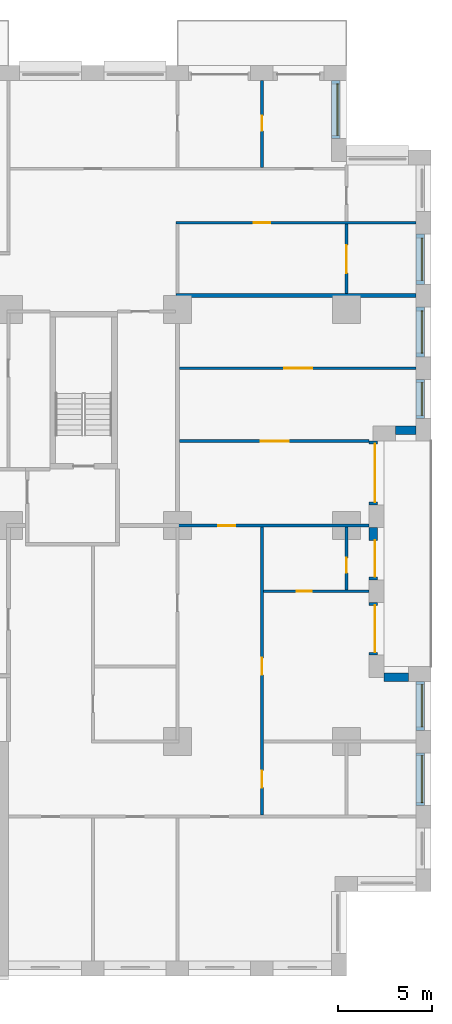
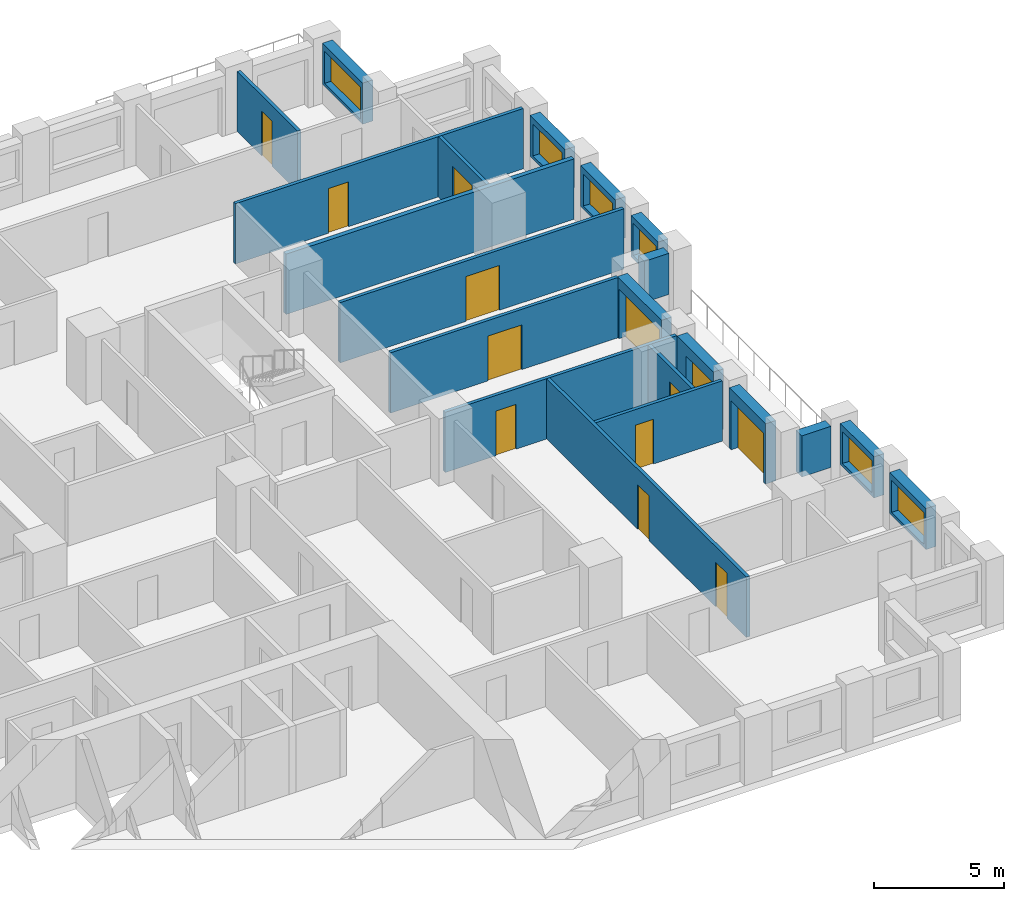
# One storey, part 17 of 20: 21 walls, 13 doors, 6 windows, 19 openings.
"""IFC4 building model written with IfcOpenShell, lengths in metres."""

from ifc_helpers import new_model, si_unit, direction, frame, frame_2d, origin, place, context, subcontext, project, spatial, rectangle, extrude, material, layer, layer_set, type_object, element, fill, save


model = new_model("IFC4")

# Units and contexts
model_context = context("Model", 3, precision=1e-05, world=origin(), true_north=direction((0.0, 1.0)))
body_context = subcontext(model_context, "Body", "Model", "MODEL_VIEW")
ifc_project = project(units=[si_unit("LENGTHUNIT", "METRE"), si_unit("AREAUNIT", "SQUARE_METRE"), si_unit("VOLUMEUNIT", "CUBIC_METRE"), si_unit("PLANEANGLEUNIT", "RADIAN"), si_unit("MASSUNIT", "GRAM", prefix="KILO")], contexts=[model_context])

# Site, building, storey
site_placement = place(None, origin())
site = spatial("IfcSite", under=ifc_project, at=site_placement, CompositionType="ELEMENT")
building_placement = place(site_placement, origin())
building = spatial("IfcBuilding", under=site, at=building_placement, Name="Brigalow Station Residences", CompositionType="ELEMENT")
storey_placement = place(building_placement, frame((0.0, 0.0, 41.550048828125)))
storey = spatial("IfcBuildingStorey", under=building, at=storey_placement, Name="L11", CompositionType="ELEMENT", Elevation=41.550048828125)

# Wall, opening, window
ifc_material_1 = material(Name="Clay brick masonry", Category="masonry")
ifc_layer_1 = layer(ifc_material_1, 0.449951171875)
ifc_layer_set_1 = layer_set([ifc_layer_1], Name="BRICK INFILL WALL 450")
wall_type_1 = type_object("IfcWallType", Name="BRICK INFILL WALL 450", PredefinedType="SOLIDWALL", material=ifc_layer_set_1)
wall_1_placement = place(storey_placement, frame((75.925048828125, 9.10009765625, 0.89990234375), z_axis=(0.0, 0.0, 1.0), x_axis=(0.0, 1.0, 0.0)))
wall_1 = element("IfcWall", 1, at=wall_1_placement, inside=storey, type_object=wall_type_1, Name="L11/ewall/W-L11-12", PredefinedType="SOLIDWALL", context=body_context, shape_type="SweptSolid", body=[
    extrude(rectangle(XDim=2.7998046875, YDim=0.449951171875, at=frame_2d((1.39990234375, 0.0))), origin(), (0.0, 0.0, 1.0), 1.929931640625),
])
opening_1_placement = place(wall_1_placement, frame((0.14990234375, 0.0, 0.14990234375)))
opening_1 = element("IfcOpeningElement", 2, at=opening_1_placement, cuts=wall_1, Name="Opening WT-5", PredefinedType="OPENING", context=body_context, shape_type="SweptSolid", body=[
    extrude(rectangle(XDim=2.5, YDim=1.5, at=frame_2d((1.25, 0.75))), frame((0.0, 0.23486328125, 0.0), z_axis=(0.0, -1.0, 0.0), x_axis=(1.0, 0.0, 0.0)), (0.0, 0.0, 1.0), 0.469970703125),
])
ifc_material_2 = material(Name="Anodised aluminium frame with double glazing", Category="aluminium")
window_type_1 = type_object("IfcWindowType", Name="WINDOW 2500x1500", PartitioningType="SINGLE_PANEL", PredefinedType="WINDOW", material=ifc_material_2)
window_1_placement = place(opening_1_placement, origin())
window_1 = element("IfcWindow", 3, at=window_1_placement, inside=storey, type_object=window_type_1, Name="L11/window/W-L11-12", OverallHeight=1.5, OverallWidth=2.5, PartitioningType="SINGLE_PANEL", PredefinedType="WINDOW", context=body_context, shape_type="SweptSolid", body=[
    extrude(rectangle(XDim=2.5, YDim=1.5, at=frame_2d((1.25, 0.75))), frame((0.0, -0.06494140625, 0.0), z_axis=(0.0, -1.0, 0.0), x_axis=(1.0, 0.0, 0.0)), (0.0, 0.0, 1.0), 0.06005859375),
])
fill(opening_1, window_1)

wall_2_placement = place(storey_placement, frame((75.925048828125, 13.10009765625, 0.89990234375), z_axis=(0.0, 0.0, 1.0), x_axis=(0.0, 1.0, 0.0)))
wall_2 = element("IfcWall", 4, at=wall_2_placement, inside=storey, type_object=wall_type_1, Name="L11/ewall/W-L11-13", PredefinedType="SOLIDWALL", context=body_context, shape_type="SweptSolid", body=[
    extrude(rectangle(XDim=2.599853515625, YDim=0.449951171875, at=frame_2d((1.2998046875, 0.0))), origin(), (0.0, 0.0, 1.0), 1.929931640625),
])
opening_2_placement = place(wall_2_placement, frame((0.175048828125, 0.0, 0.14990234375)))
opening_2 = element("IfcOpeningElement", 5, at=opening_2_placement, cuts=wall_2, Name="Opening WT-6", PredefinedType="OPENING", context=body_context, shape_type="SweptSolid", body=[
    extrude(rectangle(XDim=2.25, YDim=1.5, at=frame_2d((1.125, 0.75))), frame((0.0, 0.23486328125, 0.0), z_axis=(0.0, -1.0, 0.0), x_axis=(1.0, 0.0, 0.0)), (0.0, 0.0, 1.0), 0.469970703125),
])
ifc_material_3 = material(Name="Anodised aluminium frame with double glazing", Category="aluminium")
window_type_2 = type_object("IfcWindowType", Name="WINDOW 2250x1500", PartitioningType="SINGLE_PANEL", PredefinedType="WINDOW", material=ifc_material_3)
window_2_placement = place(opening_2_placement, origin())
window_2 = element("IfcWindow", 6, at=window_2_placement, inside=storey, type_object=window_type_2, Name="L11/window/W-L11-13", OverallHeight=1.5, OverallWidth=2.25, PartitioningType="SINGLE_PANEL", PredefinedType="WINDOW", context=body_context, shape_type="SweptSolid", body=[
    extrude(rectangle(XDim=2.25, YDim=1.5, at=frame_2d((1.125, 0.75))), frame((0.0, -0.06494140625, 0.0), z_axis=(0.0, -1.0, 0.0), x_axis=(1.0, 0.0, 0.0)), (0.0, 0.0, 1.0), 0.06005859375),
])
fill(opening_2, window_2)

# Wall
wall_3_placement = place(storey_placement, frame((75.300048828125, 15.925048828125, 0.89990234375), z_axis=(0.0, 0.0, 1.0), x_axis=(-1.0, 0.0, 0.0)))
element("IfcWall", 7, at=wall_3_placement, inside=storey, type_object=wall_type_1, Name="L11/ewall/W-L11-14", PredefinedType="SOLIDWALL", context=body_context, shape_type="SweptSolid", body=[
    extrude(rectangle(XDim=1.300048828125, YDim=0.449951171875, at=frame_2d((0.64990234375, 0.0))), origin(), (0.0, 0.0, 1.0), 1.929931640625),
])

# Wall, opening, door
wall_4_placement = place(storey_placement, frame((73.425048828125, 17.10009765625, 0.0), z_axis=(0.0, 0.0, 1.0), x_axis=(0.0, 1.0, 0.0)))
wall_4 = element("IfcWall", 8, at=wall_4_placement, inside=storey, type_object=wall_type_1, Name="L11/ewall/W-L11-15", PredefinedType="SOLIDWALL", context=body_context, shape_type="SweptSolid", body=[
    extrude(rectangle(XDim=2.7998046875, YDim=0.449951171875, at=frame_2d((1.39990234375, 0.0))), origin(), (0.0, 0.0, 1.0), 2.829833984375),
])
opening_3_placement = place(wall_4_placement, frame((0.14990234375, 0.0, 0.0)))
opening_3 = element("IfcOpeningElement", 9, at=opening_3_placement, cuts=wall_4, Name="Opening D-B2500", PredefinedType="OPENING", context=body_context, shape_type="SweptSolid", body=[
    extrude(rectangle(XDim=2.5, YDim=2.300048828125, at=frame_2d((1.25, 1.14990234375))), frame((0.0, 0.23486328125, 0.0), z_axis=(0.0, -1.0, 0.0), x_axis=(1.0, 0.0, 0.0)), (0.0, 0.0, 1.0), 0.469970703125),
])
ifc_material_4 = material(Name="Anodised aluminium frame with double glazing", Category="aluminium")
door_type_1 = type_object("IfcDoorType", Name="BALCONY SLIDING DOOR 2500x2300", OperationType="SLIDING_TO_LEFT", PredefinedType="DOOR", material=ifc_material_4)
door_1_placement = place(opening_3_placement, origin())
door_1 = element("IfcDoor", 10, at=door_1_placement, inside=storey, type_object=door_type_1, Name="L11/balcony-door/W-L11-15", OperationType="SLIDING_TO_LEFT", OverallHeight=2.300048828125, OverallWidth=2.5, PredefinedType="DOOR", context=body_context, shape_type="SweptSolid", body=[
    extrude(rectangle(XDim=2.5, YDim=2.300048828125, at=frame_2d((1.25, 1.14990234375))), frame((0.0, -0.06982421875, 0.0), z_axis=(0.0, -1.0, 0.0), x_axis=(1.0, 0.0, 0.0)), (0.0, 0.0, 1.0), 0.050048828125),
])
fill(opening_3, door_1)

wall_5_placement = place(storey_placement, frame((73.425048828125, 21.10009765625, 0.0), z_axis=(0.0, 0.0, 1.0), x_axis=(0.0, 1.0, 0.0)))
wall_5 = element("IfcWall", 11, at=wall_5_placement, inside=storey, type_object=wall_type_1, Name="L11/ewall/W-L11-16", PredefinedType="SOLIDWALL", context=body_context, shape_type="SweptSolid", body=[
    extrude(rectangle(XDim=2.7998046875, YDim=0.449951171875, at=frame_2d((1.39990234375, 0.0))), origin(), (0.0, 0.0, 1.0), 2.829833984375),
])
opening_4_placement = place(wall_5_placement, frame((0.1650390625, 0.0, 0.0)))
opening_4 = element("IfcOpeningElement", 12, at=opening_4_placement, cuts=wall_5, Name="Opening D-B1950", PredefinedType="OPENING", context=body_context, shape_type="SweptSolid", body=[
    extrude(rectangle(XDim=1.949951171875, YDim=2.300048828125, at=frame_2d((0.97509765625, 1.14990234375))), frame((0.0, 0.23486328125, 0.0), z_axis=(0.0, -1.0, 0.0), x_axis=(1.0, 0.0, 0.0)), (0.0, 0.0, 1.0), 0.469970703125),
])
ifc_material_5 = material(Name="Anodised aluminium frame with double glazing", Category="aluminium")
door_type_2 = type_object("IfcDoorType", Name="BALCONY SLIDING DOOR 1950x2300", OperationType="SLIDING_TO_LEFT", PredefinedType="DOOR", material=ifc_material_5)
door_2_placement = place(opening_4_placement, origin())
door_2 = element("IfcDoor", 13, at=door_2_placement, inside=storey, type_object=door_type_2, Name="L11/balcony-door/W-L11-16", OperationType="SLIDING_TO_LEFT", OverallHeight=2.300048828125, OverallWidth=1.949951171875, PredefinedType="DOOR", context=body_context, shape_type="SweptSolid", body=[
    extrude(rectangle(XDim=1.949951171875, YDim=2.300048828125, at=frame_2d((0.97509765625, 1.14990234375))), frame((0.0, -0.06982421875, 0.0), z_axis=(0.0, -1.0, 0.0), x_axis=(1.0, 0.0, 0.0)), (0.0, 0.0, 1.0), 0.050048828125),
])
fill(opening_4, door_2)

wall_6_placement = place(storey_placement, frame((73.425048828125, 25.10009765625, 0.0), z_axis=(0.0, 0.0, 1.0), x_axis=(0.0, 1.0, 0.0)))
wall_6 = element("IfcWall", 14, at=wall_6_placement, inside=storey, type_object=wall_type_1, Name="L11/ewall/W-L11-17", PredefinedType="SOLIDWALL", context=body_context, shape_type="SweptSolid", body=[
    extrude(rectangle(XDim=3.39990234375, YDim=0.449951171875, at=frame_2d((1.699951171875, 0.0))), origin(), (0.0, 0.0, 1.0), 2.829833984375),
])
opening_5_placement = place(wall_6_placement, frame((0.14990234375, 0.0, 0.0)))
opening_5 = element("IfcOpeningElement", 15, at=opening_5_placement, cuts=wall_6, Name="Opening D-B3100", PredefinedType="OPENING", context=body_context, shape_type="SweptSolid", body=[
    extrude(rectangle(XDim=3.10009765625, YDim=2.300048828125, at=frame_2d((1.550048828125, 1.14990234375))), frame((0.0, 0.23486328125, 0.0), z_axis=(0.0, -1.0, 0.0), x_axis=(1.0, 0.0, 0.0)), (0.0, 0.0, 1.0), 0.469970703125),
])
ifc_material_6 = material(Name="Anodised aluminium frame with double glazing", Category="aluminium")
door_type_3 = type_object("IfcDoorType", Name="BALCONY SLIDING DOOR 3100x2300", OperationType="SLIDING_TO_LEFT", PredefinedType="DOOR", material=ifc_material_6)
door_3_placement = place(opening_5_placement, origin())
door_3 = element("IfcDoor", 16, at=door_3_placement, inside=storey, type_object=door_type_3, Name="L11/balcony-door/W-L11-17", OperationType="SLIDING_TO_LEFT", OverallHeight=2.300048828125, OverallWidth=3.10009765625, PredefinedType="DOOR", context=body_context, shape_type="SweptSolid", body=[
    extrude(rectangle(XDim=3.10009765625, YDim=2.300048828125, at=frame_2d((1.550048828125, 1.14990234375))), frame((0.0, -0.06982421875, 0.0), z_axis=(0.0, -1.0, 0.0), x_axis=(1.0, 0.0, 0.0)), (0.0, 0.0, 1.0), 0.050048828125),
])
fill(opening_5, door_3)

# Wall
wall_7_placement = place(storey_placement, frame((74.60009765625, 29.074951171875, 0.89990234375), z_axis=(0.0, 0.0, 1.0), x_axis=(1.0, 0.0, 0.0)))
element("IfcWall", 17, at=wall_7_placement, inside=storey, type_object=wall_type_1, Name="L11/ewall/W-L11-18", PredefinedType="SOLIDWALL", context=body_context, shape_type="SweptSolid", body=[
    extrude(rectangle(XDim=1.099853515625, YDim=0.449951171875, at=frame_2d((0.5498046875, 0.0))), origin(), (0.0, 0.0, 1.0), 1.929931640625),
])

# Wall, opening, window
wall_8_placement = place(storey_placement, frame((75.925048828125, 29.699951171875, 0.89990234375), z_axis=(0.0, 0.0, 1.0), x_axis=(0.0, 1.0, 0.0)))
wall_8 = element("IfcWall", 18, at=wall_8_placement, inside=storey, type_object=wall_type_1, Name="L11/ewall/W-L11-19", PredefinedType="SOLIDWALL", context=body_context, shape_type="SweptSolid", body=[
    extrude(rectangle(XDim=2.074951171875, YDim=0.449951171875, at=frame_2d((1.03759765625, 0.0))), origin(), (0.0, 0.0, 1.0), 1.929931640625),
])
opening_6_placement = place(wall_8_placement, frame((0.16259765625, 0.0, 0.14990234375)))
opening_6 = element("IfcOpeningElement", 19, at=opening_6_placement, cuts=wall_8, Name="Opening WT-4", PredefinedType="OPENING", context=body_context, shape_type="SweptSolid", body=[
    extrude(rectangle(XDim=1.75, YDim=1.5, at=frame_2d((0.875, 0.75))), frame((0.0, 0.23486328125, 0.0), z_axis=(0.0, -1.0, 0.0), x_axis=(1.0, 0.0, 0.0)), (0.0, 0.0, 1.0), 0.469970703125),
])
ifc_material_7 = material(Name="Anodised aluminium frame with double glazing", Category="aluminium")
window_type_3 = type_object("IfcWindowType", Name="WINDOW 1750x1500", PartitioningType="SINGLE_PANEL", PredefinedType="WINDOW", material=ifc_material_7)
window_3_placement = place(opening_6_placement, origin())
window_3 = element("IfcWindow", 20, at=window_3_placement, inside=storey, type_object=window_type_3, Name="L11/window/W-L11-19", OverallHeight=1.5, OverallWidth=1.75, PartitioningType="SINGLE_PANEL", PredefinedType="WINDOW", context=body_context, shape_type="SweptSolid", body=[
    extrude(rectangle(XDim=1.75, YDim=1.5, at=frame_2d((0.875, 0.75))), frame((0.0, -0.06494140625, 0.0), z_axis=(0.0, -1.0, 0.0), x_axis=(1.0, 0.0, 0.0)), (0.0, 0.0, 1.0), 0.06005859375),
])
fill(opening_6, window_3)

wall_9_placement = place(storey_placement, frame((75.925048828125, 32.97509765625, 0.89990234375), z_axis=(0.0, 0.0, 1.0), x_axis=(0.0, 1.0, 0.0)))
wall_9 = element("IfcWall", 21, at=wall_9_placement, inside=storey, type_object=wall_type_1, Name="L11/ewall/W-L11-20", PredefinedType="SOLIDWALL", context=body_context, shape_type="SweptSolid", body=[
    extrude(rectangle(XDim=2.6748046875, YDim=0.449951171875, at=frame_2d((1.33740234375, 0.0))), origin(), (0.0, 0.0, 1.0), 1.929931640625),
])
opening_7_placement = place(wall_9_placement, frame((0.21240234375, 0.0, 0.14990234375)))
opening_7 = element("IfcOpeningElement", 22, at=opening_7_placement, cuts=wall_9, Name="Opening WT-6", PredefinedType="OPENING", context=body_context, shape_type="SweptSolid", body=[
    extrude(rectangle(XDim=2.25, YDim=1.5, at=frame_2d((1.125, 0.75))), frame((0.0, 0.23486328125, 0.0), z_axis=(0.0, -1.0, 0.0), x_axis=(1.0, 0.0, 0.0)), (0.0, 0.0, 1.0), 0.469970703125),
])
window_4_placement = place(opening_7_placement, origin())
window_4 = element("IfcWindow", 23, at=window_4_placement, inside=storey, type_object=window_type_2, Name="L11/window/W-L11-20", OverallHeight=1.5, OverallWidth=2.25, PartitioningType="SINGLE_PANEL", PredefinedType="WINDOW", context=body_context, shape_type="SweptSolid", body=[
    extrude(rectangle(XDim=2.25, YDim=1.5, at=frame_2d((1.125, 0.75))), frame((0.0, -0.06494140625, 0.0), z_axis=(0.0, -1.0, 0.0), x_axis=(1.0, 0.0, 0.0)), (0.0, 0.0, 1.0), 0.06005859375),
])
fill(opening_7, window_4)

wall_10_placement = place(storey_placement, frame((75.925048828125, 36.85009765625, 0.89990234375), z_axis=(0.0, 0.0, 1.0), x_axis=(0.0, 1.0, 0.0)))
wall_10 = element("IfcWall", 24, at=wall_10_placement, inside=storey, type_object=wall_type_1, Name="L11/ewall/W-L11-21", PredefinedType="SOLIDWALL", context=body_context, shape_type="SweptSolid", body=[
    extrude(rectangle(XDim=2.6748046875, YDim=0.449951171875, at=frame_2d((1.33740234375, 0.0))), origin(), (0.0, 0.0, 1.0), 1.929931640625),
])
opening_8_placement = place(wall_10_placement, frame((0.21240234375, 0.0, 0.14990234375)))
opening_8 = element("IfcOpeningElement", 25, at=opening_8_placement, cuts=wall_10, Name="Opening WT-6", PredefinedType="OPENING", context=body_context, shape_type="SweptSolid", body=[
    extrude(rectangle(XDim=2.25, YDim=1.5, at=frame_2d((1.125, 0.75))), frame((0.0, 0.23486328125, 0.0), z_axis=(0.0, -1.0, 0.0), x_axis=(1.0, 0.0, 0.0)), (0.0, 0.0, 1.0), 0.469970703125),
])
window_5_placement = place(opening_8_placement, origin())
window_5 = element("IfcWindow", 26, at=window_5_placement, inside=storey, type_object=window_type_2, Name="L11/window/W-L11-21", OverallHeight=1.5, OverallWidth=2.25, PartitioningType="SINGLE_PANEL", PredefinedType="WINDOW", context=body_context, shape_type="SweptSolid", body=[
    extrude(rectangle(XDim=2.25, YDim=1.5, at=frame_2d((1.125, 0.75))), frame((0.0, -0.06494140625, 0.0), z_axis=(0.0, -1.0, 0.0), x_axis=(1.0, 0.0, 0.0)), (0.0, 0.0, 1.0), 0.06005859375),
])
fill(opening_8, window_5)

wall_11_placement = place(storey_placement, frame((71.425048828125, 44.60009765625, 0.89990234375), z_axis=(0.0, 0.0, 1.0), x_axis=(0.0, 1.0, 0.0)))
wall_11 = element("IfcWall", 27, at=wall_11_placement, inside=storey, type_object=wall_type_1, Name="L11/ewall/W-L11-24", PredefinedType="SOLIDWALL", context=body_context, shape_type="SweptSolid", body=[
    extrude(rectangle(XDim=3.099853515625, YDim=0.449951171875, at=frame_2d((1.5498046875, 0.0))), origin(), (0.0, 0.0, 1.0), 1.929931640625),
])
opening_9_placement = place(wall_11_placement, frame((0.175048828125, 0.0, 0.14990234375)))
opening_9 = element("IfcOpeningElement", 28, at=opening_9_placement, cuts=wall_11, Name="Opening WT-3", PredefinedType="OPENING", context=body_context, shape_type="SweptSolid", body=[
    extrude(rectangle(XDim=2.75, YDim=1.5, at=frame_2d((1.375, 0.75))), frame((0.0, 0.23486328125, 0.0), z_axis=(0.0, -1.0, 0.0), x_axis=(1.0, 0.0, 0.0)), (0.0, 0.0, 1.0), 0.469970703125),
])
ifc_material_8 = material(Name="Anodised aluminium frame with double glazing", Category="aluminium")
window_type_4 = type_object("IfcWindowType", Name="WINDOW 2750x1500", PartitioningType="SINGLE_PANEL", PredefinedType="WINDOW", material=ifc_material_8)
window_6_placement = place(opening_9_placement, origin())
window_6 = element("IfcWindow", 29, at=window_6_placement, inside=storey, type_object=window_type_4, Name="L11/window/W-L11-24", OverallHeight=1.5, OverallWidth=2.75, PartitioningType="SINGLE_PANEL", PredefinedType="WINDOW", context=body_context, shape_type="SweptSolid", body=[
    extrude(rectangle(XDim=2.75, YDim=1.5, at=frame_2d((1.375, 0.75))), frame((0.0, -0.06494140625, 0.0), z_axis=(0.0, -1.0, 0.0), x_axis=(1.0, 0.0, 0.0)), (0.0, 0.0, 1.0), 0.06005859375),
])
fill(opening_9, window_6)

# Wall, opening, door
ifc_material_9 = material(Name="Plasterboard on steel stud partition", Category="steel")
ifc_layer_2 = layer(ifc_material_9, 0.14990234375)
ifc_layer_set_2 = layer_set([ifc_layer_2], Name="FLAT PARTITION 150")
wall_type_2 = type_object("IfcWallType", Name="FLAT PARTITION 150", PredefinedType="PARTITIONING", material=ifc_layer_set_2)
wall_12_placement = place(storey_placement, frame((62.925048828125, 24.0, 0.0), z_axis=(0.0, 0.0, 1.0), x_axis=(1.0, 0.0, 0.0)))
wall_12 = element("IfcWall", 30, at=wall_12_placement, inside=storey, type_object=wall_type_2, Name="PW-1C03", PredefinedType="PARTITIONING", context=body_context, shape_type="SweptSolid", body=[
    extrude(rectangle(XDim=10.27490234375, YDim=0.14990234375, at=frame_2d((5.137451171875, 0.0))), origin(), (0.0, 0.0, 1.0), 2.829833984375),
])
opening_10_placement = place(wall_12_placement, frame((2.25, 0.0, 0.0)))
opening_10 = element("IfcOpeningElement", 31, at=opening_10_placement, cuts=wall_12, Name="Opening D-1C53", PredefinedType="OPENING", context=body_context, shape_type="SweptSolid", body=[
    extrude(rectangle(XDim=0.89990234375, YDim=2.10009765625, at=frame_2d((0.449951171875, 1.050048828125))), frame((0.0, 0.0849609375, 0.0), z_axis=(0.0, -1.0, 0.0), x_axis=(1.0, 0.0, 0.0)), (0.0, 0.0, 1.0), 0.169921875),
])
ifc_material_10 = material(Name="Solid-core timber door leaf", Category="wood")
door_type_4 = type_object("IfcDoorType", Name="INTERNAL DOOR 900 x 2100", OperationType="SINGLE_SWING_LEFT", PredefinedType="DOOR", material=ifc_material_10)
door_4_placement = place(opening_10_placement, origin())
door_4 = element("IfcDoor", 32, at=door_4_placement, inside=storey, type_object=door_type_4, Name="D-1C53", OperationType="SINGLE_SWING_LEFT", OverallHeight=2.10009765625, OverallWidth=0.89990234375, PredefinedType="DOOR", context=body_context, shape_type="SweptSolid", body=[
    extrude(rectangle(XDim=0.89990234375, YDim=2.10009765625, at=frame_2d((0.449951171875, 1.050048828125))), frame((0.0, 0.02490234375, 0.0), z_axis=(0.0, -1.0, 0.0), x_axis=(1.0, 0.0, 0.0)), (0.0, 0.0, 1.0), 0.050048828125),
])
fill(opening_10, door_4)

wall_13_placement = place(storey_placement, frame((67.574951171875, 20.5, 0.0), z_axis=(0.0, 0.0, 1.0), x_axis=(1.0, 0.0, 0.0)))
wall_13 = element("IfcWall", 33, at=wall_13_placement, inside=storey, type_object=wall_type_2, Name="PW-1C18", PredefinedType="PARTITIONING", context=body_context, shape_type="SweptSolid", body=[
    extrude(rectangle(XDim=5.625, YDim=0.14990234375, at=frame_2d((2.8125, 0.0))), origin(), (0.0, 0.0, 1.0), 2.829833984375),
])
opening_11_placement = place(wall_13_placement, frame((1.77490234375, 0.0, 0.0)))
opening_11 = element("IfcOpeningElement", 34, at=opening_11_placement, cuts=wall_13, Name="Opening D-1C54", PredefinedType="OPENING", context=body_context, shape_type="SweptSolid", body=[
    extrude(rectangle(XDim=0.800048828125, YDim=2.10009765625, at=frame_2d((0.39990234375, 1.050048828125))), frame((0.0, 0.0849609375, 0.0), z_axis=(0.0, -1.0, 0.0), x_axis=(1.0, 0.0, 0.0)), (0.0, 0.0, 1.0), 0.169921875),
])
ifc_material_11 = material(Name="Solid-core timber door leaf", Category="wood")
door_type_5 = type_object("IfcDoorType", Name="INTERNAL DOOR 800 x 2100", OperationType="SINGLE_SWING_LEFT", PredefinedType="DOOR", material=ifc_material_11)
door_5_placement = place(opening_11_placement, origin())
door_5 = element("IfcDoor", 35, at=door_5_placement, inside=storey, type_object=door_type_5, Name="D-1C54", OperationType="SINGLE_SWING_LEFT", OverallHeight=2.10009765625, OverallWidth=0.800048828125, PredefinedType="DOOR", context=body_context, shape_type="SweptSolid", body=[
    extrude(rectangle(XDim=0.800048828125, YDim=2.10009765625, at=frame_2d((0.39990234375, 1.050048828125))), frame((0.0, 0.02490234375, 0.0), z_axis=(0.0, -1.0, 0.0), x_axis=(1.0, 0.0, 0.0)), (0.0, 0.0, 1.0), 0.050048828125),
])
fill(opening_11, door_5)

wall_14_placement = place(storey_placement, frame((63.10009765625, 32.375, 0.0), z_axis=(0.0, 0.0, 1.0), x_axis=(1.0, 0.0, 0.0)))
wall_14 = element("IfcWall", 36, at=wall_14_placement, inside=storey, type_object=wall_type_2, Name="PW-1C20", PredefinedType="PARTITIONING", context=body_context, shape_type="SweptSolid", body=[
    extrude(rectangle(XDim=12.599853515625, YDim=0.14990234375, at=frame_2d((6.2998046875, 0.0))), origin(), (0.0, 0.0, 1.0), 2.829833984375),
])
opening_12_placement = place(wall_14_placement, frame((5.574951171875, 0.0, 0.0)))
opening_12 = element("IfcOpeningElement", 37, at=opening_12_placement, cuts=wall_14, Name="Opening D-1C56", PredefinedType="OPENING", context=body_context, shape_type="SweptSolid", body=[
    extrude(rectangle(XDim=1.5, YDim=2.10009765625, at=frame_2d((0.75, 1.050048828125))), frame((0.0, 0.0849609375, 0.0), z_axis=(0.0, -1.0, 0.0), x_axis=(1.0, 0.0, 0.0)), (0.0, 0.0, 1.0), 0.169921875),
])
ifc_material_12 = material(Name="Solid-core timber door leaf", Category="wood")
door_type_6 = type_object("IfcDoorType", Name="INTERNAL DOUBLE DOOR 1500 x 2100", OperationType="DOUBLE_DOOR_SINGLE_SWING", PredefinedType="DOOR", material=ifc_material_12)
door_6_placement = place(opening_12_placement, frame((1.5, 0.0, 0.0), z_axis=(0.0, 0.0, 1.0), x_axis=(-1.0, 0.0, 0.0)))
door_6 = element("IfcDoor", 38, at=door_6_placement, inside=storey, type_object=door_type_6, Name="D-1C56", OperationType="DOUBLE_DOOR_SINGLE_SWING", OverallHeight=2.10009765625, OverallWidth=1.5, PredefinedType="DOOR", context=body_context, shape_type="SweptSolid", body=[
    extrude(rectangle(XDim=1.5, YDim=2.10009765625, at=frame_2d((0.75, 1.050048828125))), frame((0.0, 0.02490234375, 0.0), z_axis=(0.0, -1.0, 0.0), x_axis=(1.0, 0.0, 0.0)), (0.0, 0.0, 1.0), 0.050048828125),
])
fill(opening_12, door_6)

wall_15_placement = place(storey_placement, frame((63.10009765625, 28.5, 0.0), z_axis=(0.0, 0.0, 1.0), x_axis=(1.0, 0.0, 0.0)))
wall_15 = element("IfcWall", 39, at=wall_15_placement, inside=storey, type_object=wall_type_2, Name="PW-1C24", PredefinedType="PARTITIONING", context=body_context, shape_type="SweptSolid", body=[
    extrude(rectangle(XDim=10.099853515625, YDim=0.14990234375, at=frame_2d((5.0498046875, 0.0))), origin(), (0.0, 0.0, 1.0), 2.829833984375),
])
opening_13_placement = place(wall_15_placement, frame((4.324951171875, 0.0, 0.0)))
opening_13 = element("IfcOpeningElement", 40, at=opening_13_placement, cuts=wall_15, Name="Opening D-1C52", PredefinedType="OPENING", context=body_context, shape_type="SweptSolid", body=[
    extrude(rectangle(XDim=1.5, YDim=2.10009765625, at=frame_2d((0.75, 1.050048828125))), frame((0.0, 0.0849609375, 0.0), z_axis=(0.0, -1.0, 0.0), x_axis=(1.0, 0.0, 0.0)), (0.0, 0.0, 1.0), 0.169921875),
])
door_7_placement = place(opening_13_placement, frame((1.5, 0.0, 0.0), z_axis=(0.0, 0.0, 1.0), x_axis=(-1.0, 0.0, 0.0)))
door_7 = element("IfcDoor", 41, at=door_7_placement, inside=storey, type_object=door_type_6, Name="D-1C52", OperationType="DOUBLE_DOOR_SINGLE_SWING", OverallHeight=2.10009765625, OverallWidth=1.5, PredefinedType="DOOR", context=body_context, shape_type="SweptSolid", body=[
    extrude(rectangle(XDim=1.5, YDim=2.10009765625, at=frame_2d((0.75, 1.050048828125))), frame((0.0, 0.02490234375, 0.0), z_axis=(0.0, -1.0, 0.0), x_axis=(1.0, 0.0, 0.0)), (0.0, 0.0, 1.0), 0.050048828125),
])
fill(opening_13, door_7)

wall_16_placement = place(storey_placement, frame((62.925048828125, 40.125, 0.0), z_axis=(0.0, 0.0, 1.0), x_axis=(1.0, 0.0, 0.0)))
wall_16 = element("IfcWall", 42, at=wall_16_placement, inside=storey, type_object=wall_type_2, Name="PW-1C33", PredefinedType="PARTITIONING", context=body_context, shape_type="SweptSolid", body=[
    extrude(rectangle(XDim=12.77490234375, YDim=0.14990234375, at=frame_2d((6.387451171875, 0.0))), origin(), (0.0, 0.0, 1.0), 2.829833984375),
])
opening_14_placement = place(wall_16_placement, frame((4.125, 0.0, 0.0)))
opening_14 = element("IfcOpeningElement", 43, at=opening_14_placement, cuts=wall_16, Name="Opening D-1C41", PredefinedType="OPENING", context=body_context, shape_type="SweptSolid", body=[
    extrude(rectangle(XDim=0.89990234375, YDim=2.10009765625, at=frame_2d((0.449951171875, 1.050048828125))), frame((0.0, 0.0849609375, 0.0), z_axis=(0.0, -1.0, 0.0), x_axis=(1.0, 0.0, 0.0)), (0.0, 0.0, 1.0), 0.169921875),
])
door_8_placement = place(opening_14_placement, frame((0.89990234375, 0.0, 0.0), z_axis=(0.0, 0.0, 1.0), x_axis=(-1.0, 0.0, 0.0)))
door_8 = element("IfcDoor", 44, at=door_8_placement, inside=storey, type_object=door_type_4, Name="D-1C41", OperationType="SINGLE_SWING_RIGHT", OverallHeight=2.10009765625, OverallWidth=0.89990234375, PredefinedType="DOOR", context=body_context, shape_type="SweptSolid", body=[
    extrude(rectangle(XDim=0.89990234375, YDim=2.10009765625, at=frame_2d((0.449951171875, 1.050048828125))), frame((0.0, 0.02490234375, 0.0), z_axis=(0.0, -1.0, 0.0), x_axis=(1.0, 0.0, 0.0)), (0.0, 0.0, 1.0), 0.050048828125),
])
fill(opening_14, door_8)

wall_17_placement = place(storey_placement, frame((72.0, 20.574951171875, 0.0), z_axis=(0.0, 0.0, 1.0), x_axis=(0.0, 1.0, 0.0)))
wall_17 = element("IfcWall", 45, at=wall_17_placement, inside=storey, type_object=wall_type_2, Name="PW-1C75", PredefinedType="PARTITIONING", context=body_context, shape_type="SweptSolid", body=[
    extrude(rectangle(XDim=3.35009765625, YDim=0.14990234375, at=frame_2d((1.675048828125, 0.0))), origin(), (0.0, 0.0, 1.0), 2.829833984375),
])
opening_15_placement = place(wall_17_placement, frame((0.89990234375, 0.0, 0.0)))
opening_15 = element("IfcOpeningElement", 46, at=opening_15_placement, cuts=wall_17, Name="Opening D-1C55", PredefinedType="OPENING", context=body_context, shape_type="SweptSolid", body=[
    extrude(rectangle(XDim=0.800048828125, YDim=2.10009765625, at=frame_2d((0.39990234375, 1.050048828125))), frame((0.0, 0.0849609375, 0.0), z_axis=(0.0, -1.0, 0.0), x_axis=(1.0, 0.0, 0.0)), (0.0, 0.0, 1.0), 0.169921875),
])
door_9_placement = place(opening_15_placement, frame((0.800048828125, 0.0, 0.0), z_axis=(0.0, 0.0, 1.0), x_axis=(-1.0, 0.0, 0.0)))
door_9 = element("IfcDoor", 47, at=door_9_placement, inside=storey, type_object=door_type_5, Name="D-1C55", OperationType="SINGLE_SWING_RIGHT", OverallHeight=2.10009765625, OverallWidth=0.800048828125, PredefinedType="DOOR", context=body_context, shape_type="SweptSolid", body=[
    extrude(rectangle(XDim=0.800048828125, YDim=2.10009765625, at=frame_2d((0.39990234375, 1.050048828125))), frame((0.0, 0.02490234375, 0.0), z_axis=(0.0, -1.0, 0.0), x_axis=(1.0, 0.0, 0.0)), (0.0, 0.0, 1.0), 0.050048828125),
])
fill(opening_15, door_9)

wall_18_placement = place(storey_placement, frame((72.0, 36.35009765625, 0.0), z_axis=(0.0, 0.0, 1.0), x_axis=(0.0, 1.0, 0.0)))
wall_18 = element("IfcWall", 48, at=wall_18_placement, inside=storey, type_object=wall_type_2, Name="PW-1C76", PredefinedType="PARTITIONING", context=body_context, shape_type="SweptSolid", body=[
    extrude(rectangle(XDim=3.699951171875, YDim=0.14990234375, at=frame_2d((1.85009765625, 0.0))), origin(), (0.0, 0.0, 1.0), 2.829833984375),
])
opening_16_placement = place(wall_18_placement, frame((1.087890625, 0.0, 0.0)))
opening_16 = element("IfcOpeningElement", 49, at=opening_16_placement, cuts=wall_18, Name="Opening D-1C48", PredefinedType="OPENING", context=body_context, shape_type="SweptSolid", body=[
    extrude(rectangle(XDim=1.5, YDim=2.10009765625, at=frame_2d((0.75, 1.050048828125))), frame((0.0, 0.0849609375, 0.0), z_axis=(0.0, -1.0, 0.0), x_axis=(1.0, 0.0, 0.0)), (0.0, 0.0, 1.0), 0.169921875),
])
door_10_placement = place(opening_16_placement, origin())
door_10 = element("IfcDoor", 50, at=door_10_placement, inside=storey, type_object=door_type_6, Name="D-1C48", OperationType="DOUBLE_DOOR_SINGLE_SWING", OverallHeight=2.10009765625, OverallWidth=1.5, PredefinedType="DOOR", context=body_context, shape_type="SweptSolid", body=[
    extrude(rectangle(XDim=1.5, YDim=2.10009765625, at=frame_2d((0.75, 1.050048828125))), frame((0.0, 0.02490234375, 0.0), z_axis=(0.0, -1.0, 0.0), x_axis=(1.0, 0.0, 0.0)), (0.0, 0.0, 1.0), 0.050048828125),
])
fill(opening_16, door_10)

# Wall, openings, doors
wall_19_placement = place(storey_placement, frame((67.5, 8.574951171875, 0.0), z_axis=(0.0, 0.0, 1.0), x_axis=(0.0, 1.0, 0.0)))
wall_19 = element("IfcWall", 51, at=wall_19_placement, inside=storey, type_object=wall_type_2, Name="PW-1C79", PredefinedType="PARTITIONING", context=body_context, shape_type="SweptSolid", body=[
    extrude(rectangle(XDim=15.35009765625, YDim=0.14990234375, at=frame_2d((7.675048828125, 0.0))), origin(), (0.0, 0.0, 1.0), 2.829833984375),
])
opening_17_placement = place(wall_19_placement, frame((7.47509765625, 0.0, 0.0)))
opening_17 = element("IfcOpeningElement", 52, at=opening_17_placement, cuts=wall_19, Name="Opening D-1C59", PredefinedType="OPENING", context=body_context, shape_type="SweptSolid", body=[
    extrude(rectangle(XDim=0.89990234375, YDim=2.10009765625, at=frame_2d((0.449951171875, 1.050048828125))), frame((0.0, 0.0849609375, 0.0), z_axis=(0.0, -1.0, 0.0), x_axis=(1.0, 0.0, 0.0)), (0.0, 0.0, 1.0), 0.169921875),
])
opening_18_placement = place(wall_19_placement, frame((1.47509765625, 0.0, 0.0)))
opening_18 = element("IfcOpeningElement", 53, at=opening_18_placement, cuts=wall_19, Name="Opening D-1C60", PredefinedType="OPENING", context=body_context, shape_type="SweptSolid", body=[
    extrude(rectangle(XDim=0.89990234375, YDim=2.10009765625, at=frame_2d((0.449951171875, 1.050048828125))), frame((0.0, 0.0849609375, 0.0), z_axis=(0.0, -1.0, 0.0), x_axis=(1.0, 0.0, 0.0)), (0.0, 0.0, 1.0), 0.169921875),
])
door_11_placement = place(opening_17_placement, frame((0.89990234375, 0.0, 0.0), z_axis=(0.0, 0.0, 1.0), x_axis=(-1.0, 0.0, 0.0)))
door_11 = element("IfcDoor", 54, at=door_11_placement, inside=storey, type_object=door_type_4, Name="D-1C59", OperationType="SINGLE_SWING_RIGHT", OverallHeight=2.10009765625, OverallWidth=0.89990234375, PredefinedType="DOOR", context=body_context, shape_type="SweptSolid", body=[
    extrude(rectangle(XDim=0.89990234375, YDim=2.10009765625, at=frame_2d((0.449951171875, 1.050048828125))), frame((0.0, 0.02490234375, 0.0), z_axis=(0.0, -1.0, 0.0), x_axis=(1.0, 0.0, 0.0)), (0.0, 0.0, 1.0), 0.050048828125),
])
fill(opening_17, door_11)
door_12_placement = place(opening_18_placement, frame((0.89990234375, 0.0, 0.0), z_axis=(0.0, 0.0, 1.0), x_axis=(-1.0, 0.0, 0.0)))
door_12 = element("IfcDoor", 55, at=door_12_placement, inside=storey, type_object=door_type_4, Name="D-1C60", OperationType="SINGLE_SWING_LEFT", OverallHeight=2.10009765625, OverallWidth=0.89990234375, PredefinedType="DOOR", context=body_context, shape_type="SweptSolid", body=[
    extrude(rectangle(XDim=0.89990234375, YDim=2.10009765625, at=frame_2d((0.449951171875, 1.050048828125))), frame((0.0, 0.02490234375, 0.0), z_axis=(0.0, -1.0, 0.0), x_axis=(1.0, 0.0, 0.0)), (0.0, 0.0, 1.0), 0.050048828125),
])
fill(opening_18, door_12)

# Wall, opening, door
wall_20_placement = place(storey_placement, frame((67.5, 43.074951171875, 0.0), z_axis=(0.0, 0.0, 1.0), x_axis=(0.0, 1.0, 0.0)))
wall_20 = element("IfcWall", 56, at=wall_20_placement, inside=storey, type_object=wall_type_2, Name="PW-1C80", PredefinedType="PARTITIONING", context=body_context, shape_type="SweptSolid", body=[
    extrude(rectangle(XDim=4.625, YDim=0.14990234375, at=frame_2d((2.3125, 0.0))), origin(), (0.0, 0.0, 1.0), 2.829833984375),
])
opening_19_placement = place(wall_20_placement, frame((1.949951171875, 0.0, 0.0)))
opening_19 = element("IfcOpeningElement", 57, at=opening_19_placement, cuts=wall_20, Name="Opening D-1C33", PredefinedType="OPENING", context=body_context, shape_type="SweptSolid", body=[
    extrude(rectangle(XDim=0.800048828125, YDim=2.10009765625, at=frame_2d((0.39990234375, 1.050048828125))), frame((0.0, 0.0849609375, 0.0), z_axis=(0.0, -1.0, 0.0), x_axis=(1.0, 0.0, 0.0)), (0.0, 0.0, 1.0), 0.169921875),
])
door_13_placement = place(opening_19_placement, origin())
door_13 = element("IfcDoor", 58, at=door_13_placement, inside=storey, type_object=door_type_5, Name="D-1C33", OperationType="SINGLE_SWING_RIGHT", OverallHeight=2.10009765625, OverallWidth=0.800048828125, PredefinedType="DOOR", context=body_context, shape_type="SweptSolid", body=[
    extrude(rectangle(XDim=0.800048828125, YDim=2.10009765625, at=frame_2d((0.39990234375, 1.050048828125))), frame((0.0, 0.02490234375, 0.0), z_axis=(0.0, -1.0, 0.0), x_axis=(1.0, 0.0, 0.0)), (0.0, 0.0, 1.0), 0.050048828125),
])
fill(opening_19, door_13)

# Wall
ifc_material_13 = material(Name="Plasterboard on steel stud partition", Category="steel")
ifc_layer_3 = layer(ifc_material_13, 0.199951171875)
ifc_layer_set_3 = layer_set([ifc_layer_3], Name="PARTY AND CORRIDOR WALL 200")
wall_type_3 = type_object("IfcWallType", Name="PARTY AND CORRIDOR WALL 200", PredefinedType="PARTITIONING", material=ifc_layer_set_3)
wall_21_placement = place(storey_placement, frame((62.925048828125, 36.25, 0.0), z_axis=(0.0, 0.0, 1.0), x_axis=(1.0, 0.0, 0.0)))
element("IfcWall", 59, at=wall_21_placement, inside=storey, type_object=wall_type_3, Name="PW-1C26", PredefinedType="PARTITIONING", context=body_context, shape_type="SweptSolid", body=[
    extrude(rectangle(XDim=12.77490234375, YDim=0.199951171875, at=frame_2d((6.387451171875, 0.0))), origin(), (0.0, 0.0, 1.0), 2.829833984375),
])

save(model, "model.ifc")
